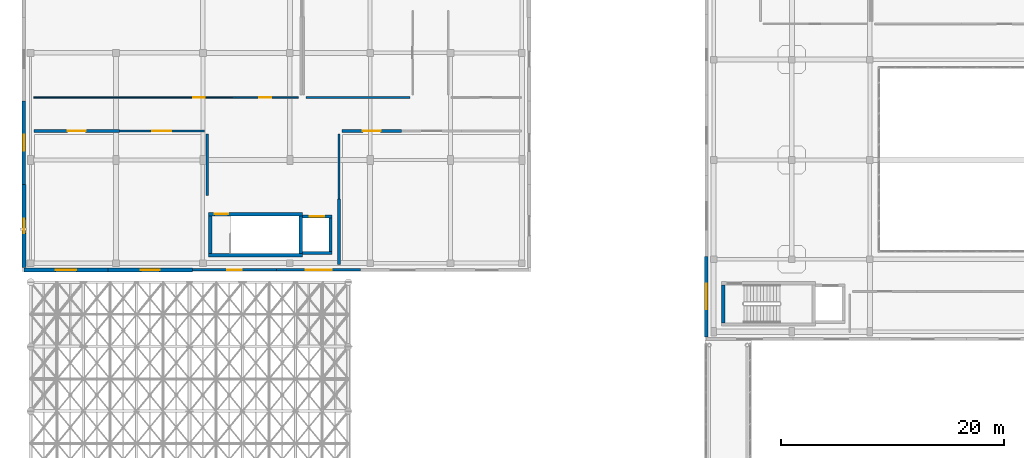
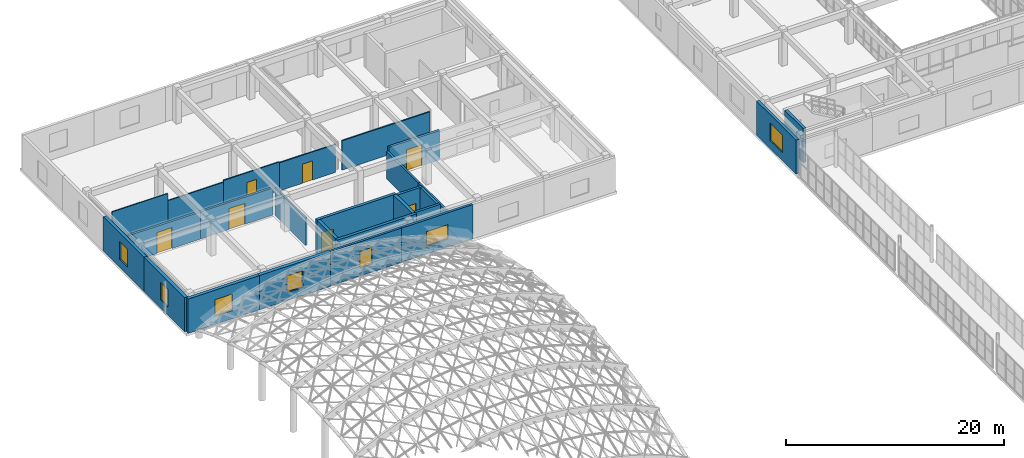
# One storey, part 134 of 146: 26 walls, 7 doors, 7 windows, 14 openings.
"""IFC4 building model written with IfcOpenShell, lengths in metres."""

from ifc_helpers import new_model, si_unit, direction, frame, frame_2d, origin, place, context, subcontext, project, spatial, rectangle, extrude, material, layer, layer_set, type_object, element, fill, save


model = new_model("IFC4")

# Units and contexts
model_context = context("Model", 3, precision=1e-05, world=origin(), true_north=direction((0.0, 1.0)))
body_context = subcontext(model_context, "Body", "Model", "MODEL_VIEW")
ifc_project = project(units=[si_unit("LENGTHUNIT", "METRE"), si_unit("AREAUNIT", "SQUARE_METRE"), si_unit("VOLUMEUNIT", "CUBIC_METRE"), si_unit("PLANEANGLEUNIT", "RADIAN"), si_unit("MASSUNIT", "GRAM", prefix="KILO")], contexts=[model_context])

# Site, building, storey
site_placement = place(None, origin())
site = spatial("IfcSite", under=ifc_project, at=site_placement, CompositionType="ELEMENT")
building_placement = place(site_placement, origin())
building = spatial("IfcBuilding", under=site, at=building_placement, Name="Valcora Specialist Clinic", CompositionType="ELEMENT")
storey_placement = place(building_placement, frame((0.0, 0.0, 9.52001953125)))
storey = spatial("IfcBuildingStorey", under=building, at=storey_placement, Name="L02", CompositionType="ELEMENT", Elevation=9.52001953125)

# Wall
ifc_material_1 = material(Name="Concrete C40/50", Category="concrete")
ifc_layer_1 = layer(ifc_material_1, 0.300048828125)
ifc_layer_set_1 = layer_set([ifc_layer_1], Name="Concrete C40/50")
wall_type_1 = type_object("IfcWallType", Name="TY-WL-CR300", PredefinedType="SHEAR", material=ifc_layer_set_1)
wall_1_placement = place(storey_placement, frame((16.699951171875, 81.64990234375, 0.0), z_axis=(0.0, 0.0, 1.0), x_axis=(1.0, 0.0, 0.0)))
element("IfcWall", 1, at=wall_1_placement, inside=storey, type_object=wall_type_1, Name="Core shear wall WL-CR-C-V2A-L02-S", PredefinedType="SHEAR", context=body_context, shape_type="SweptSolid", body=[
    extrude(rectangle(XDim=8.420166015625, YDim=0.300048828125, at=frame_2d((4.2099609375, 0.0))), origin(), (0.0, 0.0, 1.0), 3.843017578125),
])

# Wall, opening, door
wall_2_placement = place(storey_placement, frame((16.699951171875, 85.35009765625, 0.0), z_axis=(0.0, 0.0, 1.0), x_axis=(1.0, 0.0, 0.0)))
wall_2 = element("IfcWall", 2, at=wall_2_placement, inside=storey, type_object=wall_type_1, Name="Core shear wall WL-CR-C-V2A-L02-N", PredefinedType="SHEAR", context=body_context, shape_type="SweptSolid", body=[
    extrude(rectangle(XDim=8.420166015625, YDim=0.300048828125, at=frame_2d((4.2099609375, 0.0))), origin(), (0.0, 0.0, 1.0), 3.843017578125),
])
opening_1_placement = place(wall_2_placement, frame((0.550048828125, 0.0, 0.0)))
opening_1 = element("IfcOpeningElement", 3, at=opening_1_placement, cuts=wall_2, Name="Opening DR-FD-120", PredefinedType="OPENING", context=body_context, shape_type="SweptSolid", body=[
    extrude(rectangle(XDim=1.199951171875, YDim=2.199951171875, at=frame_2d((0.60009765625, 1.10009765625))), frame((0.0, 0.159912109375, 0.0), z_axis=(0.0, -1.0, 0.0), x_axis=(1.0, 0.0, 0.0)), (0.0, 0.0, 1.0), 0.320068359375),
])
ifc_material_2 = material(Name="Galvanized Hollow Metal Door Steel ASTM A653", Category="steel")
door_type_1 = type_object("IfcDoorType", Name="TY-DR-ST120", OperationType="NOTDEFINED", PredefinedType="DOOR", material=ifc_material_2)
door_1_placement = place(opening_1_placement, origin())
door_1 = element("IfcDoor", 4, at=door_1_placement, inside=storey, type_object=door_type_1, Name="Exit stair fire door C-V2A L02", OperationType="SINGLE_SWING_LEFT", OverallHeight=2.199951171875, OverallWidth=1.199951171875, PredefinedType="DOOR", context=body_context, shape_type="SweptSolid", body=[
    extrude(rectangle(XDim=1.199951171875, YDim=2.199951171875, at=frame_2d((0.60009765625, 1.10009765625))), frame((0.0, 0.02490234375, 0.0), z_axis=(0.0, -1.0, 0.0), x_axis=(1.0, 0.0, 0.0)), (0.0, 0.0, 1.0), 0.050048828125),
])
fill(opening_1, door_1)

# Walls
wall_3_placement = place(storey_placement, frame((16.85009765625, 81.802001953125, 0.0), z_axis=(0.0, 0.0, 1.0), x_axis=(0.0, 1.0, 0.0)))
element("IfcWall", 5, at=wall_3_placement, inside=storey, type_object=wall_type_1, Name="Core shear wall WL-CR-C-V2A-L02-W", PredefinedType="SHEAR", context=body_context, shape_type="SweptSolid", body=[
    extrude(rectangle(XDim=3.39599609375, YDim=0.300048828125, at=frame_2d((1.697998046875, 0.0))), origin(), (0.0, 0.0, 1.0), 3.843017578125),
])
wall_4_placement = place(storey_placement, frame((62.85009765625, 75.60205078125, 0.0), z_axis=(0.0, 0.0, 1.0), x_axis=(0.0, 1.0, 0.0)))
element("IfcWall", 6, at=wall_4_placement, inside=storey, type_object=wall_type_1, Name="Core shear wall WL-CR-C-V4A-L02-W", PredefinedType="SHEAR", context=body_context, shape_type="SweptSolid", body=[
    extrude(rectangle(XDim=3.39599609375, YDim=0.300048828125, at=frame_2d((1.697998046875, 0.0))), origin(), (0.0, 0.0, 1.0), 3.820068359375),
])
ifc_layer_2 = layer(ifc_material_1, 0.320068359375)
ifc_layer_set_2 = layer_set([ifc_layer_2], Name="Concrete C40/50")
wall_type_2 = type_object("IfcWallType", Name="TY-WL-CR320", PredefinedType="SHEAR", material=ifc_layer_set_2)
wall_5_placement = place(storey_placement, frame((24.9599609375, 81.802001953125, 0.0), z_axis=(0.0, 0.0, 1.0), x_axis=(0.0, 1.0, 0.0)))
element("IfcWall", 7, at=wall_5_placement, inside=storey, type_object=wall_type_2, Name="Core shear wall WL-CR-C-V2A-L02-E", PredefinedType="SHEAR", context=body_context, shape_type="SweptSolid", body=[
    extrude(rectangle(XDim=3.39599609375, YDim=0.320068359375, at=frame_2d((1.697998046875, 0.0))), origin(), (0.0, 0.0, 1.0), 3.843017578125),
])

# Wall, opening, window
ifc_material_3 = material(Name="Extruded Jalisco Clay Brick Masonry", Category="masonry")
ifc_layer_3 = layer(ifc_material_3, 0.235107421875)
ifc_layer_set_3 = layer_set([ifc_layer_3], Name="Extruded Jalisco Clay Brick Masonry")
wall_type_3 = type_object("IfcWallType", Name="TY-WL-EW235", PredefinedType="SOLIDWALL", material=ifc_layer_set_3)
wall_6_placement = place(storey_placement, frame((22.800048828125, 80.35009765625, 0.0), z_axis=(0.0, 0.0, 1.0), x_axis=(-1.0, 0.0, 0.0)))
wall_6 = element("IfcWall", 8, at=wall_6_placement, inside=storey, type_object=wall_type_3, Name="Exterior wall WL-EXT-L02-0100", PredefinedType="SOLIDWALL", context=body_context, shape_type="SweptSolid", body=[
    extrude(rectangle(XDim=7.550048828125, YDim=0.235107421875, at=frame_2d((3.77490234375, 0.0))), origin(), (0.0, 0.0, 1.0), 3.843017578125),
])
opening_2_placement = place(wall_6_placement, frame((3.135009765625, 0.0, 0.89990234375)))
opening_2 = element("IfcOpeningElement", 9, at=opening_2_placement, cuts=wall_6, Name="Opening WN-39", PredefinedType="OPENING", context=body_context, shape_type="SweptSolid", body=[
    extrude(rectangle(XDim=1.280029296875, YDim=1.8798828125, at=frame_2d((0.64013671875, 0.93994140625))), frame((0.0, 0.12744140625, 0.0), z_axis=(0.0, -1.0, 0.0), x_axis=(1.0, 0.0, 0.0)), (0.0, 0.0, 1.0), 0.255126953125),
])
ifc_material_4 = material(Name="Low-E Laminated Insulating Glass", Category="glass")
window_type_1 = type_object("IfcWindowType", Name="TY-WN-39", PartitioningType="SINGLE_PANEL", PredefinedType="WINDOW", material=ifc_material_4)
window_1_placement = place(opening_2_placement, origin())
window_1 = element("IfcWindow", 10, at=window_1_placement, inside=storey, type_object=window_type_1, Name="Facade window WN-L02-0081", OverallHeight=1.8798828125, OverallWidth=1.280029296875, PartitioningType="SINGLE_PANEL", PredefinedType="WINDOW", context=body_context, shape_type="SweptSolid", body=[
    extrude(rectangle(XDim=1.280029296875, YDim=1.8798828125, at=frame_2d((0.64013671875, 0.93994140625))), frame((0.0, 0.030029296875, 0.0), z_axis=(0.0, -1.0, 0.0), x_axis=(1.0, 0.0, 0.0)), (0.0, 0.0, 1.0), 0.06005859375),
])
fill(opening_2, window_1)

ifc_layer_4 = layer(ifc_material_3, 0.25)
ifc_layer_set_4 = layer_set([ifc_layer_4], Name="Extruded Jalisco Clay Brick Masonry")
wall_type_4 = type_object("IfcWallType", Name="TY-WL-EW250", PredefinedType="SOLIDWALL", material=ifc_layer_set_4)
wall_7_placement = place(storey_placement, frame((30.35009765625, 80.35009765625, 0.0), z_axis=(0.0, 0.0, 1.0), x_axis=(-1.0, 0.0, 0.0)))
wall_7 = element("IfcWall", 11, at=wall_7_placement, inside=storey, type_object=wall_type_4, Name="Exterior wall WL-EXT-L02-0099", PredefinedType="SOLIDWALL", context=body_context, shape_type="SweptSolid", body=[
    extrude(rectangle(XDim=7.550048828125, YDim=0.25, at=frame_2d((3.77490234375, 0.0))), origin(), (0.0, 0.0, 1.0), 3.843017578125),
])
opening_3_placement = place(wall_7_placement, frame((2.614990234375, 0.0, 0.89990234375)))
opening_3 = element("IfcOpeningElement", 12, at=opening_3_placement, cuts=wall_7, Name="Opening WN-38", PredefinedType="OPENING", context=body_context, shape_type="SweptSolid", body=[
    extrude(rectangle(XDim=2.320068359375, YDim=1.6201171875, at=frame_2d((1.16015625, 0.81005859375))), frame((0.0, 0.135009765625, 0.0), z_axis=(0.0, -1.0, 0.0), x_axis=(1.0, 0.0, 0.0)), (0.0, 0.0, 1.0), 0.27001953125),
])
window_type_2 = type_object("IfcWindowType", Name="TY-WN-38", PartitioningType="SINGLE_PANEL", PredefinedType="WINDOW", material=ifc_material_4)
window_2_placement = place(opening_3_placement, origin())
window_2 = element("IfcWindow", 13, at=window_2_placement, inside=storey, type_object=window_type_2, Name="Facade window WN-L02-0080", OverallHeight=1.6201171875, OverallWidth=2.320068359375, PartitioningType="SINGLE_PANEL", PredefinedType="WINDOW", context=body_context, shape_type="SweptSolid", body=[
    extrude(rectangle(XDim=2.320068359375, YDim=1.6201171875, at=frame_2d((1.16015625, 0.81005859375))), frame((0.0, 0.030029296875, 0.0), z_axis=(0.0, -1.0, 0.0), x_axis=(1.0, 0.0, 0.0)), (0.0, 0.0, 1.0), 0.06005859375),
])
fill(opening_3, window_2)

ifc_layer_5 = layer(ifc_material_3, 0.31005859375)
ifc_layer_set_5 = layer_set([ifc_layer_5], Name="Extruded Jalisco Clay Brick Masonry")
wall_type_5 = type_object("IfcWallType", Name="TY-WL-EW310", PredefinedType="SOLIDWALL", material=ifc_layer_set_5)
wall_8_placement = place(storey_placement, frame((61.35009765625, 74.340087890625, 0.0), z_axis=(0.0, 0.0, 1.0), x_axis=(0.0, 1.0, 0.0)))
wall_8 = element("IfcWall", 14, at=wall_8_placement, inside=storey, type_object=wall_type_5, Name="Exterior wall WL-EXT-L02-0175", PredefinedType="SOLIDWALL", context=body_context, shape_type="SweptSolid", body=[
    extrude(rectangle(XDim=7.223876953125, YDim=0.31005859375, at=frame_2d((3.61181640625, 0.0))), origin(), (0.0, 0.0, 1.0), 3.820068359375),
])
opening_4_placement = place(wall_8_placement, frame((2.4619140625, 0.0, 0.89990234375)))
opening_4 = element("IfcOpeningElement", 15, at=opening_4_placement, cuts=wall_8, Name="Opening WN-28", PredefinedType="OPENING", context=body_context, shape_type="SweptSolid", body=[
    extrude(rectangle(XDim=2.300048828125, YDim=2.0, at=frame_2d((1.14990234375, 1.0))), frame((0.0, 0.1650390625, 0.0), z_axis=(0.0, -1.0, 0.0), x_axis=(1.0, 0.0, 0.0)), (0.0, 0.0, 1.0), 0.330078125),
])
window_type_3 = type_object("IfcWindowType", Name="TY-WN-28", PartitioningType="SINGLE_PANEL", PredefinedType="WINDOW", material=ifc_material_4)
window_3_placement = place(opening_4_placement, origin())
window_3 = element("IfcWindow", 16, at=window_3_placement, inside=storey, type_object=window_type_3, Name="Facade window WN-L02-0154", OverallHeight=2.0, OverallWidth=2.300048828125, PartitioningType="SINGLE_PANEL", PredefinedType="WINDOW", context=body_context, shape_type="SweptSolid", body=[
    extrude(rectangle(XDim=2.300048828125, YDim=2.0, at=frame_2d((1.14990234375, 1.0))), frame((0.0, 0.030029296875, 0.0), z_axis=(0.0, -1.0, 0.0), x_axis=(1.0, 0.0, 0.0)), (0.0, 0.0, 1.0), 0.06005859375),
])
fill(opening_4, window_3)

ifc_layer_6 = layer(ifc_material_3, 0.324951171875)
ifc_layer_set_6 = layer_set([ifc_layer_6], Name="Extruded Jalisco Clay Brick Masonry")
wall_type_6 = type_object("IfcWallType", Name="TY-WL-EW325", PredefinedType="SOLIDWALL", material=ifc_layer_set_6)
wall_9_placement = place(storey_placement, frame((0.14990234375, 88.02001953125, 0.0), z_axis=(0.0, 0.0, 1.0), x_axis=(0.0, 1.0, 0.0)))
wall_9 = element("IfcWall", 17, at=wall_9_placement, inside=storey, type_object=wall_type_6, Name="Exterior wall WL-EXT-L02-0084", PredefinedType="SOLIDWALL", context=body_context, shape_type="SweptSolid", body=[
    extrude(rectangle(XDim=7.47998046875, YDim=0.324951171875, at=frame_2d((3.739990234375, 0.0))), origin(), (0.0, 0.0, 1.0), 3.843017578125),
])
opening_5_placement = place(wall_9_placement, frame((3.014892578125, 0.0, 0.89990234375)))
opening_5 = element("IfcOpeningElement", 18, at=opening_5_placement, cuts=wall_9, Name="Opening WN-23", PredefinedType="OPENING", context=body_context, shape_type="SweptSolid", body=[
    extrude(rectangle(XDim=1.449951171875, YDim=2.0, at=frame_2d((0.72509765625, 1.0))), frame((0.0, 0.17236328125, 0.0), z_axis=(0.0, -1.0, 0.0), x_axis=(1.0, 0.0, 0.0)), (0.0, 0.0, 1.0), 0.344970703125),
])
window_type_4 = type_object("IfcWindowType", Name="TY-WN-23", PartitioningType="SINGLE_PANEL", PredefinedType="WINDOW", material=ifc_material_4)
window_4_placement = place(opening_5_placement, origin())
window_4 = element("IfcWindow", 19, at=window_4_placement, inside=storey, type_object=window_type_4, Name="Facade window WN-L02-0065", OverallHeight=2.0, OverallWidth=1.449951171875, PartitioningType="SINGLE_PANEL", PredefinedType="WINDOW", context=body_context, shape_type="SweptSolid", body=[
    extrude(rectangle(XDim=1.449951171875, YDim=2.0, at=frame_2d((0.72509765625, 1.0))), frame((0.0, 0.030029296875, 0.0), z_axis=(0.0, -1.0, 0.0), x_axis=(1.0, 0.0, 0.0)), (0.0, 0.0, 1.0), 0.06005859375),
])
fill(opening_5, window_4)

ifc_layer_7 = layer(ifc_material_3, 0.340087890625)
ifc_layer_set_7 = layer_set([ifc_layer_7], Name="Extruded Jalisco Clay Brick Masonry")
wall_type_7 = type_object("IfcWallType", Name="TY-WL-EW340", PredefinedType="SOLIDWALL", material=ifc_layer_set_7)
wall_10_placement = place(storey_placement, frame((0.14990234375, 80.5400390625, 0.0), z_axis=(0.0, 0.0, 1.0), x_axis=(0.0, 1.0, 0.0)))
wall_10 = element("IfcWall", 20, at=wall_10_placement, inside=storey, type_object=wall_type_7, Name="Exterior wall WL-EXT-L02-0083", PredefinedType="SOLIDWALL", context=body_context, shape_type="SweptSolid", body=[
    extrude(rectangle(XDim=7.47998046875, YDim=0.340087890625, at=frame_2d((3.739990234375, 0.0))), origin(), (0.0, 0.0, 1.0), 3.843017578125),
])
opening_6_placement = place(wall_10_placement, frame((3.090087890625, 0.0, 0.89990234375)))
opening_6 = element("IfcOpeningElement", 21, at=opening_6_placement, cuts=wall_10, Name="Opening WN-22", PredefinedType="OPENING", context=body_context, shape_type="SweptSolid", body=[
    extrude(rectangle(XDim=1.300048828125, YDim=2.0, at=frame_2d((0.64990234375, 1.0))), frame((0.0, 0.179931640625, 0.0), z_axis=(0.0, -1.0, 0.0), x_axis=(1.0, 0.0, 0.0)), (0.0, 0.0, 1.0), 0.360107421875),
])
window_type_5 = type_object("IfcWindowType", Name="TY-WN-22", PartitioningType="SINGLE_PANEL", PredefinedType="WINDOW", material=ifc_material_4)
window_5_placement = place(opening_6_placement, origin())
window_5 = element("IfcWindow", 22, at=window_5_placement, inside=storey, type_object=window_type_5, Name="Facade window WN-L02-0064", OverallHeight=2.0, OverallWidth=1.300048828125, PartitioningType="SINGLE_PANEL", PredefinedType="WINDOW", context=body_context, shape_type="SweptSolid", body=[
    extrude(rectangle(XDim=1.300048828125, YDim=2.0, at=frame_2d((0.64990234375, 1.0))), frame((0.0, 0.030029296875, 0.0), z_axis=(0.0, -1.0, 0.0), x_axis=(1.0, 0.0, 0.0)), (0.0, 0.0, 1.0), 0.06005859375),
])
fill(opening_6, window_5)

ifc_layer_8 = layer(ifc_material_3, 0.35498046875)
ifc_layer_set_8 = layer_set([ifc_layer_8], Name="Extruded Jalisco Clay Brick Masonry")
wall_type_8 = type_object("IfcWallType", Name="TY-WL-EW355", PredefinedType="SOLIDWALL", material=ifc_layer_set_8)
wall_11_placement = place(storey_placement, frame((7.699951171875, 80.35009765625, 0.0), z_axis=(0.0, 0.0, 1.0), x_axis=(-1.0, 0.0, 0.0)))
wall_11 = element("IfcWall", 23, at=wall_11_placement, inside=storey, type_object=wall_type_8, Name="Exterior wall WL-EXT-L02-0102", PredefinedType="SOLIDWALL", context=body_context, shape_type="SweptSolid", body=[
    extrude(rectangle(XDim=7.550048828125, YDim=0.35498046875, at=frame_2d((3.77490234375, 0.0))), origin(), (0.0, 0.0, 1.0), 3.843017578125),
])
opening_7_placement = place(wall_11_placement, frame((2.8349609375, 0.0, 0.89990234375)))
opening_7 = element("IfcOpeningElement", 24, at=opening_7_placement, cuts=wall_11, Name="Opening WN-41", PredefinedType="OPENING", context=body_context, shape_type="SweptSolid", body=[
    extrude(rectangle(XDim=1.8798828125, YDim=1.8798828125, at=frame_2d((0.93994140625, 0.93994140625))), frame((0.0, 0.1875, 0.0), z_axis=(0.0, -1.0, 0.0), x_axis=(1.0, 0.0, 0.0)), (0.0, 0.0, 1.0), 0.375),
])
window_type_6 = type_object("IfcWindowType", Name="TY-WN-41", PartitioningType="SINGLE_PANEL", PredefinedType="WINDOW", material=ifc_material_4)
window_6_placement = place(opening_7_placement, origin())
window_6 = element("IfcWindow", 25, at=window_6_placement, inside=storey, type_object=window_type_6, Name="Facade window WN-L02-0083", OverallHeight=1.8798828125, OverallWidth=1.8798828125, PartitioningType="SINGLE_PANEL", PredefinedType="WINDOW", context=body_context, shape_type="SweptSolid", body=[
    extrude(rectangle(XDim=1.8798828125, YDim=1.8798828125, at=frame_2d((0.93994140625, 0.93994140625))), frame((0.0, 0.030029296875, 0.0), z_axis=(0.0, -1.0, 0.0), x_axis=(1.0, 0.0, 0.0)), (0.0, 0.0, 1.0), 0.06005859375),
])
fill(opening_7, window_6)

ifc_layer_9 = layer(ifc_material_3, 0.3701171875)
ifc_layer_set_9 = layer_set([ifc_layer_9], Name="Extruded Jalisco Clay Brick Masonry")
wall_type_9 = type_object("IfcWallType", Name="TY-WL-EW370", PredefinedType="SOLIDWALL", material=ifc_layer_set_9)
wall_12_placement = place(storey_placement, frame((15.25, 80.35009765625, 0.0), z_axis=(0.0, 0.0, 1.0), x_axis=(-1.0, 0.0, 0.0)))
wall_12 = element("IfcWall", 26, at=wall_12_placement, inside=storey, type_object=wall_type_9, Name="Exterior wall WL-EXT-L02-0101", PredefinedType="SOLIDWALL", context=body_context, shape_type="SweptSolid", body=[
    extrude(rectangle(XDim=7.550048828125, YDim=0.3701171875, at=frame_2d((3.77490234375, 0.0))), origin(), (0.0, 0.0, 1.0), 3.843017578125),
])
opening_8_placement = place(wall_12_placement, frame((2.93505859375, 0.0, 0.89990234375)))
opening_8 = element("IfcOpeningElement", 27, at=opening_8_placement, cuts=wall_12, Name="Opening WN-40", PredefinedType="OPENING", context=body_context, shape_type="SweptSolid", body=[
    extrude(rectangle(XDim=1.679931640625, YDim=1.8798828125, at=frame_2d((0.83984375, 0.93994140625))), frame((0.0, 0.195068359375, 0.0), z_axis=(0.0, -1.0, 0.0), x_axis=(1.0, 0.0, 0.0)), (0.0, 0.0, 1.0), 0.39013671875),
])
window_type_7 = type_object("IfcWindowType", Name="TY-WN-40", PartitioningType="SINGLE_PANEL", PredefinedType="WINDOW", material=ifc_material_4)
window_7_placement = place(opening_8_placement, origin())
window_7 = element("IfcWindow", 28, at=window_7_placement, inside=storey, type_object=window_type_7, Name="Facade window WN-L02-0082", OverallHeight=1.8798828125, OverallWidth=1.679931640625, PartitioningType="SINGLE_PANEL", PredefinedType="WINDOW", context=body_context, shape_type="SweptSolid", body=[
    extrude(rectangle(XDim=1.679931640625, YDim=1.8798828125, at=frame_2d((0.83984375, 0.93994140625))), frame((0.0, 0.030029296875, 0.0), z_axis=(0.0, -1.0, 0.0), x_axis=(1.0, 0.0, 0.0)), (0.0, 0.0, 1.0), 0.06005859375),
])
fill(opening_8, window_7)

# Walls
ifc_material_5 = material(Name="Gypsum Board Partition Assembly")
ifc_layer_10 = layer(ifc_material_5, 0.10498046875)
ifc_layer_set_10 = layer_set([ifc_layer_10], Name="Gypsum Board Partition Assembly")
wall_type_10 = type_object("IfcWallType", Name="TY-WL-PT105", PredefinedType="PARTITIONING", material=ifc_layer_set_10)
wall_13_placement = place(storey_placement, frame((6.97509765625, 95.800048828125, 0.0), z_axis=(0.0, 0.0, 1.0), x_axis=(-1.0, 0.0, 0.0)))
element("IfcWall", 29, at=wall_13_placement, inside=storey, type_object=wall_type_10, Name="Interior partition WL-INT-L02-0292", PredefinedType="PARTITIONING", context=body_context, shape_type="SweptSolid", body=[
    extrude(rectangle(XDim=5.925048828125, YDim=0.10498046875, at=frame_2d((2.96240234375, 0.0))), origin(), (0.0, 0.0, 1.0), 3.843017578125),
])
ifc_layer_11 = layer(ifc_material_5, 0.114990234375)
ifc_layer_set_11 = layer_set([ifc_layer_11], Name="Gypsum Board Partition Assembly")
wall_type_11 = type_object("IfcWallType", Name="TY-WL-PT115", PredefinedType="PARTITIONING", material=ifc_layer_set_11)
wall_14_placement = place(storey_placement, frame((12.89990234375, 95.800048828125, 0.0), z_axis=(0.0, 0.0, 1.0), x_axis=(-1.0, 0.0, 0.0)))
element("IfcWall", 30, at=wall_14_placement, inside=storey, type_object=wall_type_11, Name="Interior partition WL-INT-L02-0291", PredefinedType="PARTITIONING", context=body_context, shape_type="SweptSolid", body=[
    extrude(rectangle(XDim=5.9248046875, YDim=0.114990234375, at=frame_2d((2.96240234375, 0.0))), origin(), (0.0, 0.0, 1.0), 3.04296875),
])

# Wall, opening, door
ifc_layer_12 = layer(ifc_material_5, 0.125)
ifc_layer_set_12 = layer_set([ifc_layer_12], Name="Gypsum Board Partition Assembly")
wall_type_12 = type_object("IfcWallType", Name="TY-WL-PT125", PredefinedType="PARTITIONING", material=ifc_layer_set_12)
wall_15_placement = place(storey_placement, frame((18.824951171875, 95.800048828125, 0.0), z_axis=(0.0, 0.0, 1.0), x_axis=(-1.0, 0.0, 0.0)))
wall_15 = element("IfcWall", 31, at=wall_15_placement, inside=storey, type_object=wall_type_12, Name="Interior partition WL-INT-L02-0290", PredefinedType="PARTITIONING", context=body_context, shape_type="SweptSolid", body=[
    extrude(rectangle(XDim=5.925048828125, YDim=0.125, at=frame_2d((2.96240234375, 0.0))), origin(), (0.0, 0.0, 1.0), 3.242919921875),
])
opening_9_placement = place(wall_15_placement, frame((2.451904296875, 0.0, 0.0)))
opening_9 = element("IfcOpeningElement", 32, at=opening_9_placement, cuts=wall_15, Name="Opening DR-CN-102", PredefinedType="OPENING", context=body_context, shape_type="SweptSolid", body=[
    extrude(rectangle(XDim=1.02001953125, YDim=2.14990234375, at=frame_2d((0.510009765625, 1.074951171875))), frame((0.0, 0.072509765625, 0.0), z_axis=(0.0, -1.0, 0.0), x_axis=(1.0, 0.0, 0.0)), (0.0, 0.0, 1.0), 0.14501953125),
])
ifc_material_6 = material(Name="Glulam Conifer Class 24F", Category="wood")
door_type_2 = type_object("IfcDoorType", Name="TY-DR-CN102", OperationType="NOTDEFINED", PredefinedType="DOOR", material=ifc_material_6)
door_2_placement = place(opening_9_placement, origin())
door_2 = element("IfcDoor", 33, at=door_2_placement, inside=storey, type_object=door_type_2, Name="Interior door DR-INT-L02-0083", OperationType="SINGLE_SWING_LEFT", OverallHeight=2.14990234375, OverallWidth=1.02001953125, PredefinedType="DOOR", context=body_context, shape_type="SweptSolid", body=[
    extrude(rectangle(XDim=1.02001953125, YDim=2.14990234375, at=frame_2d((0.510009765625, 1.074951171875))), frame((0.0, 0.02490234375, 0.0), z_axis=(0.0, -1.0, 0.0), x_axis=(1.0, 0.0, 0.0)), (0.0, 0.0, 1.0), 0.050048828125),
])
fill(opening_9, door_2)

ifc_layer_13 = layer(ifc_material_5, 0.135009765625)
ifc_layer_set_13 = layer_set([ifc_layer_13], Name="Gypsum Board Partition Assembly")
wall_type_13 = type_object("IfcWallType", Name="TY-WL-PT135", PredefinedType="PARTITIONING", material=ifc_layer_set_13)
wall_16_placement = place(storey_placement, frame((24.75, 95.800048828125, 0.0), z_axis=(0.0, 0.0, 1.0), x_axis=(-1.0, 0.0, 0.0)))
wall_16 = element("IfcWall", 34, at=wall_16_placement, inside=storey, type_object=wall_type_13, Name="Interior partition WL-INT-L02-0289", PredefinedType="PARTITIONING", context=body_context, shape_type="SweptSolid", body=[
    extrude(rectangle(XDim=5.925048828125, YDim=0.135009765625, at=frame_2d((2.96240234375, 0.0))), origin(), (0.0, 0.0, 1.0), 3.14306640625),
])
opening_10_placement = place(wall_16_placement, frame((2.43310546875, 0.0, 0.0)))
opening_10 = element("IfcOpeningElement", 35, at=opening_10_placement, cuts=wall_16, Name="Opening DR-CN-106", PredefinedType="OPENING", context=body_context, shape_type="SweptSolid", body=[
    extrude(rectangle(XDim=1.06005859375, YDim=2.14990234375, at=frame_2d((0.530029296875, 1.074951171875))), frame((0.0, 0.077392578125, 0.0), z_axis=(0.0, -1.0, 0.0), x_axis=(1.0, 0.0, 0.0)), (0.0, 0.0, 1.0), 0.155029296875),
])
door_type_3 = type_object("IfcDoorType", Name="TY-DR-CN106", OperationType="NOTDEFINED", PredefinedType="DOOR", material=ifc_material_6)
door_3_placement = place(opening_10_placement, origin())
door_3 = element("IfcDoor", 36, at=door_3_placement, inside=storey, type_object=door_type_3, Name="Interior door DR-INT-L02-0082", OperationType="SINGLE_SWING_RIGHT", OverallHeight=2.14990234375, OverallWidth=1.06005859375, PredefinedType="DOOR", context=body_context, shape_type="SweptSolid", body=[
    extrude(rectangle(XDim=1.06005859375, YDim=2.14990234375, at=frame_2d((0.530029296875, 1.074951171875))), frame((0.0, 0.02490234375, 0.0), z_axis=(0.0, -1.0, 0.0), x_axis=(1.0, 0.0, 0.0)), (0.0, 0.0, 1.0), 0.050048828125),
])
fill(opening_10, door_3)

# Walls
ifc_layer_14 = layer(ifc_material_5, 0.14501953125)
ifc_layer_set_14 = layer_set([ifc_layer_14], Name="Gypsum Board Partition Assembly")
wall_type_14 = type_object("IfcWallType", Name="TY-WL-PT145", PredefinedType="PARTITIONING", material=ifc_layer_set_14)
wall_17_placement = place(storey_placement, frame((34.75, 95.800048828125, 0.0), z_axis=(0.0, 0.0, 1.0), x_axis=(-1.0, 0.0, 0.0)))
element("IfcWall", 37, at=wall_17_placement, inside=storey, type_object=wall_type_14, Name="Interior partition WL-INT-L02-0294", PredefinedType="PARTITIONING", context=body_context, shape_type="SweptSolid", body=[
    extrude(rectangle(XDim=9.300048828125, YDim=0.14501953125, at=frame_2d((4.64990234375, 0.0))), origin(), (0.0, 0.0, 1.0), 3.29296875),
])
ifc_material_7 = material(Name="Lead-Lined Gypsum Partition Assembly")
ifc_layer_15 = layer(ifc_material_7, 0.205078125)
ifc_layer_set_15 = layer_set([ifc_layer_15], Name="Lead-Lined Gypsum Partition Assembly")
wall_type_15 = type_object("IfcWallType", Name="TY-WL-PT205", PredefinedType="PARTITIONING", material=ifc_layer_set_15)
wall_18_placement = place(storey_placement, frame((16.60009765625, 92.550048828125, 0.0), z_axis=(0.0, 0.0, 1.0), x_axis=(0.0, -1.0, 0.0)))
element("IfcWall", 38, at=wall_18_placement, inside=storey, type_object=wall_type_15, Name="Interior partition WL-INT-L02-0281", PredefinedType="PARTITIONING", context=body_context, shape_type="SweptSolid", body=[
    extrude(rectangle(XDim=5.550048828125, YDim=0.205078125, at=frame_2d((2.77490234375, 0.0))), origin(), (0.0, 0.0, 1.0), 3.093017578125),
])

# Wall, opening, door
ifc_layer_16 = layer(ifc_material_7, 0.215087890625)
ifc_layer_set_16 = layer_set([ifc_layer_16], Name="Lead-Lined Gypsum Partition Assembly")
wall_type_16 = type_object("IfcWallType", Name="TY-WL-PT215", PredefinedType="PARTITIONING", material=ifc_layer_set_16)
wall_19_placement = place(storey_placement, frame((8.699951171875, 92.800048828125, 0.0), z_axis=(0.0, 0.0, 1.0), x_axis=(1.0, 0.0, 0.0)))
wall_19 = element("IfcWall", 39, at=wall_19_placement, inside=storey, type_object=wall_type_16, Name="Interior partition WL-INT-L02-0280", PredefinedType="PARTITIONING", context=body_context, shape_type="SweptSolid", body=[
    extrude(rectangle(XDim=7.650146484375, YDim=0.215087890625, at=frame_2d((3.8251953125, 0.0))), origin(), (0.0, 0.0, 1.0), 3.04296875),
])
opening_11_placement = place(wall_19_placement, frame((2.97509765625, 0.0, 0.0)))
opening_11 = element("IfcOpeningElement", 40, at=opening_11_placement, cuts=wall_19, Name="Opening DR-IM-170", PredefinedType="OPENING", context=body_context, shape_type="SweptSolid", body=[
    extrude(rectangle(XDim=1.699951171875, YDim=2.35009765625, at=frame_2d((0.85009765625, 1.175048828125))), frame((0.0, 0.117431640625, 0.0), z_axis=(0.0, -1.0, 0.0), x_axis=(1.0, 0.0, 0.0)), (0.0, 0.0, 1.0), 0.235107421875),
])
door_type_4 = type_object("IfcDoorType", Name="TY-DR-IM170", OperationType="NOTDEFINED", PredefinedType="DOOR", material=ifc_material_7)
door_4_placement = place(opening_11_placement, origin())
door_4 = element("IfcDoor", 41, at=door_4_placement, inside=storey, type_object=door_type_4, Name="Interior door DR-INT-L02-0079", OperationType="SINGLE_SWING_LEFT", OverallHeight=2.35009765625, OverallWidth=1.699951171875, PredefinedType="DOOR", context=body_context, shape_type="SweptSolid", body=[
    extrude(rectangle(XDim=1.699951171875, YDim=2.35009765625, at=frame_2d((0.85009765625, 1.175048828125))), frame((0.0, 0.02490234375, 0.0), z_axis=(0.0, -1.0, 0.0), x_axis=(1.0, 0.0, 0.0)), (0.0, 0.0, 1.0), 0.050048828125),
])
fill(opening_11, door_4)

# Wall
wall_20_placement = place(storey_placement, frame((28.39990234375, 86.699951171875, 0.0), z_axis=(0.0, 0.0, 1.0), x_axis=(0.0, 1.0, 0.0)))
element("IfcWall", 42, at=wall_20_placement, inside=storey, type_object=wall_type_16, Name="Interior partition WL-INT-L02-0286", PredefinedType="PARTITIONING", context=body_context, shape_type="SweptSolid", body=[
    extrude(rectangle(XDim=5.85009765625, YDim=0.215087890625, at=frame_2d((2.925048828125, 0.0))), origin(), (0.0, 0.0, 1.0), 3.04296875),
])

# Wall, opening, door
ifc_layer_17 = layer(ifc_material_7, 0.22998046875)
ifc_layer_set_17 = layer_set([ifc_layer_17], Name="Lead-Lined Gypsum Partition Assembly")
wall_type_17 = type_object("IfcWallType", Name="TY-WL-PT230", PredefinedType="PARTITIONING", material=ifc_layer_set_17)
wall_21_placement = place(storey_placement, frame((1.050048828125, 92.800048828125, 0.0), z_axis=(0.0, 0.0, 1.0), x_axis=(1.0, 0.0, 0.0)))
wall_21 = element("IfcWall", 43, at=wall_21_placement, inside=storey, type_object=wall_type_17, Name="Interior partition WL-INT-L02-0279", PredefinedType="PARTITIONING", context=body_context, shape_type="SweptSolid", body=[
    extrude(rectangle(XDim=7.64990234375, YDim=0.22998046875, at=frame_2d((3.824951171875, 0.0))), origin(), (0.0, 0.0, 1.0), 3.04296875),
])
opening_12_placement = place(wall_21_placement, frame((3.02490234375, 0.0, 0.0)))
opening_12 = element("IfcOpeningElement", 44, at=opening_12_placement, cuts=wall_21, Name="Opening DR-IM-160", PredefinedType="OPENING", context=body_context, shape_type="SweptSolid", body=[
    extrude(rectangle(XDim=1.60009765625, YDim=2.35009765625, at=frame_2d((0.800048828125, 1.175048828125))), frame((0.0, 0.125, 0.0), z_axis=(0.0, -1.0, 0.0), x_axis=(1.0, 0.0, 0.0)), (0.0, 0.0, 1.0), 0.25),
])
door_type_5 = type_object("IfcDoorType", Name="TY-DR-IM160", OperationType="NOTDEFINED", PredefinedType="DOOR", material=ifc_material_7)
door_5_placement = place(opening_12_placement, origin())
door_5 = element("IfcDoor", 45, at=door_5_placement, inside=storey, type_object=door_type_5, Name="Interior door DR-INT-L02-0078", OperationType="SINGLE_SWING_RIGHT", OverallHeight=2.35009765625, OverallWidth=1.60009765625, PredefinedType="DOOR", context=body_context, shape_type="SweptSolid", body=[
    extrude(rectangle(XDim=1.60009765625, YDim=2.35009765625, at=frame_2d((0.800048828125, 1.175048828125))), frame((0.0, 0.02490234375, 0.0), z_axis=(0.0, -1.0, 0.0), x_axis=(1.0, 0.0, 0.0)), (0.0, 0.0, 1.0), 0.050048828125),
])
fill(opening_12, door_5)

wall_22_placement = place(storey_placement, frame((28.64990234375, 92.800048828125, 0.0), z_axis=(0.0, 0.0, 1.0), x_axis=(1.0, 0.0, 0.0)))
wall_22 = element("IfcWall", 46, at=wall_22_placement, inside=storey, type_object=wall_type_17, Name="Interior partition WL-INT-L02-0282", PredefinedType="PARTITIONING", context=body_context, shape_type="SweptSolid", body=[
    extrude(rectangle(XDim=5.3671875, YDim=0.22998046875, at=frame_2d((2.68359375, 0.0))), origin(), (0.0, 0.0, 1.0), 3.29296875),
])
opening_13_placement = place(wall_22_placement, frame((1.884033203125, 0.0, 0.0)))
opening_13 = element("IfcOpeningElement", 47, at=opening_13_placement, cuts=wall_22, Name="Opening DR-IM-160", PredefinedType="OPENING", context=body_context, shape_type="SweptSolid", body=[
    extrude(rectangle(XDim=1.60009765625, YDim=2.35009765625, at=frame_2d((0.800048828125, 1.175048828125))), frame((0.0, 0.125, 0.0), z_axis=(0.0, -1.0, 0.0), x_axis=(1.0, 0.0, 0.0)), (0.0, 0.0, 1.0), 0.25),
])
door_6_placement = place(opening_13_placement, origin())
door_6 = element("IfcDoor", 48, at=door_6_placement, inside=storey, type_object=door_type_5, Name="Interior door DR-INT-L02-0080", OperationType="SINGLE_SWING_RIGHT", OverallHeight=2.35009765625, OverallWidth=1.60009765625, PredefinedType="DOOR", context=body_context, shape_type="SweptSolid", body=[
    extrude(rectangle(XDim=1.60009765625, YDim=2.35009765625, at=frame_2d((0.800048828125, 1.175048828125))), frame((0.0, 0.02490234375, 0.0), z_axis=(0.0, -1.0, 0.0), x_axis=(1.0, 0.0, 0.0)), (0.0, 0.0, 1.0), 0.050048828125),
])
fill(opening_13, door_6)

# Walls
wall_23_placement = place(storey_placement, frame((28.39990234375, 80.85009765625, 0.0), z_axis=(0.0, 0.0, 1.0), x_axis=(0.0, 1.0, 0.0)))
element("IfcWall", 49, at=wall_23_placement, inside=storey, type_object=wall_type_17, Name="Interior partition WL-INT-L02-0285", PredefinedType="PARTITIONING", context=body_context, shape_type="SweptSolid", body=[
    extrude(rectangle(XDim=5.849853515625, YDim=0.22998046875, at=frame_2d((2.9248046875, 0.0))), origin(), (0.0, 0.0, 1.0), 3.04296875),
])
ifc_layer_18 = layer(ifc_material_1, 0.260009765625)
ifc_layer_set_18 = layer_set([ifc_layer_18], Name="Concrete C40/50")
wall_type_18 = type_object("IfcWallType", Name="TY-WL-SH260", PredefinedType="SHEAR", material=ifc_layer_set_18)
wall_24_placement = place(storey_placement, frame((25.1220703125, 81.8701171875, 0.0), z_axis=(0.0, 0.0, 1.0), x_axis=(1.0, 0.0, 0.0)))
element("IfcWall", 50, at=wall_24_placement, inside=storey, type_object=wall_type_18, Name="Lift shaft wall WL-LF-LF-02-L02-LS", PredefinedType="SHEAR", context=body_context, shape_type="SweptSolid", body=[
    extrude(rectangle(XDim=2.657958984375, YDim=0.260009765625, at=frame_2d((1.3291015625, 0.0))), origin(), (0.0, 0.0, 1.0), 3.843017578125),
])

# Wall, opening, door
wall_25_placement = place(storey_placement, frame((25.1220703125, 85.1298828125, 0.0), z_axis=(0.0, 0.0, 1.0), x_axis=(1.0, 0.0, 0.0)))
wall_25 = element("IfcWall", 51, at=wall_25_placement, inside=storey, type_object=wall_type_18, Name="Lift shaft wall WL-LF-LF-02-L02-LN", PredefinedType="SHEAR", context=body_context, shape_type="SweptSolid", body=[
    extrude(rectangle(XDim=2.657958984375, YDim=0.260009765625, at=frame_2d((1.3291015625, 0.0))), origin(), (0.0, 0.0, 1.0), 3.843017578125),
])
opening_14_placement = place(wall_25_placement, frame((0.678955078125, 0.0, 0.0)))
opening_14 = element("IfcOpeningElement", 52, at=opening_14_placement, cuts=wall_25, Name="Opening LD-130", PredefinedType="OPENING", context=body_context, shape_type="SweptSolid", body=[
    extrude(rectangle(XDim=1.300048828125, YDim=2.199951171875, at=frame_2d((0.64990234375, 1.10009765625))), frame((0.0, 0.139892578125, 0.0), z_axis=(0.0, -1.0, 0.0), x_axis=(1.0, 0.0, 0.0)), (0.0, 0.0, 1.0), 0.280029296875),
])
ifc_material_8 = material(Name="Stainless Steel AISI 316", Category="steel")
door_type_6 = type_object("IfcDoorType", Name="TY-LD-130", OperationType="NOTDEFINED", PredefinedType="DOOR", material=ifc_material_8)
door_7_placement = place(opening_14_placement, origin())
door_7 = element("IfcDoor", 53, at=door_7_placement, inside=storey, type_object=door_type_6, Name="Lift landing sliding door LF-02 L02", OperationType="SLIDING_TO_LEFT", OverallHeight=2.199951171875, OverallWidth=1.300048828125, PredefinedType="DOOR", context=body_context, shape_type="SweptSolid", body=[
    extrude(rectangle(XDim=1.300048828125, YDim=2.199951171875, at=frame_2d((0.64990234375, 1.10009765625))), frame((0.0, 0.02490234375, 0.0), z_axis=(0.0, -1.0, 0.0), x_axis=(1.0, 0.0, 0.0)), (0.0, 0.0, 1.0), 0.050048828125),
])
fill(opening_14, door_7)

# Wall
wall_26_placement = place(storey_placement, frame((27.64990234375, 82.001953125, 0.0), z_axis=(0.0, 0.0, 1.0), x_axis=(0.0, 1.0, 0.0)))
element("IfcWall", 54, at=wall_26_placement, inside=storey, type_object=wall_type_18, Name="Lift shaft wall WL-LF-LF-02-L02-LE", PredefinedType="SHEAR", context=body_context, shape_type="SweptSolid", body=[
    extrude(rectangle(XDim=2.99609375, YDim=0.260009765625, at=frame_2d((1.498046875, 0.0))), origin(), (0.0, 0.0, 1.0), 3.843017578125),
])

save(model, "model.ifc")
